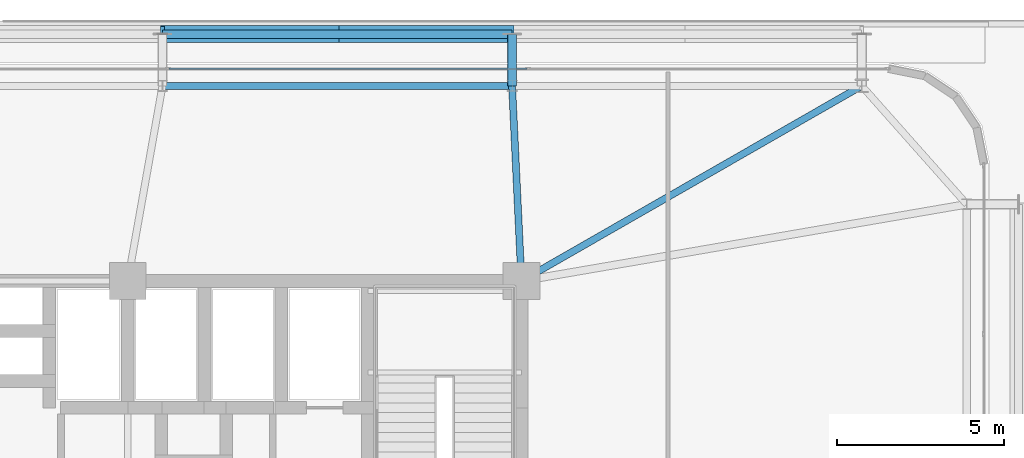
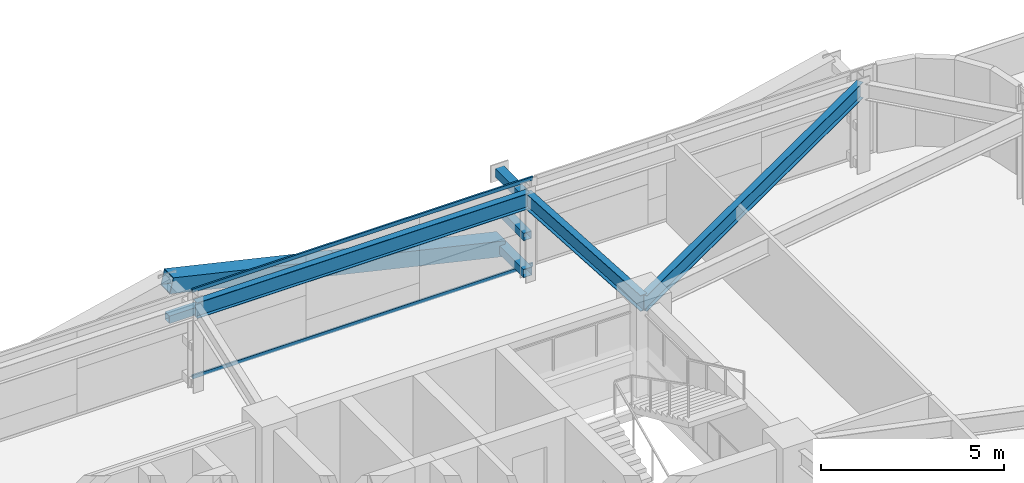
# One storey, part 29 of 56: 8 members, 3 beams, 1 element without a shape of its own.
"""IFC4 building model written with IfcOpenShell, lengths in metres."""

from ifc_helpers import new_model, si_unit, direction, frame, origin, origin_2d, place, context, subcontext, project, spatial, hollow_rectangle, i_section, extrude, source, transform, mapped, material, layer, layer_set, material_profile, profile_set, type_object, element, aggregate, save


model = new_model("IFC4")

# Units and contexts
model_context = context("Model", 3, precision=1e-05, world=origin(), true_north=direction((0.0, 1.0)))
body_context = subcontext(model_context, "Body", "Model", "MODEL_VIEW")
ifc_project = project(units=[si_unit("LENGTHUNIT", "METRE"), si_unit("AREAUNIT", "SQUARE_METRE"), si_unit("VOLUMEUNIT", "CUBIC_METRE"), si_unit("PLANEANGLEUNIT", "RADIAN"), si_unit("MASSUNIT", "GRAM", prefix="KILO")], contexts=[model_context])

# Site, building, storey
site_placement = place(None, origin())
site = spatial("IfcSite", under=ifc_project, at=site_placement, CompositionType="ELEMENT")
building_placement = place(site_placement, origin())
building = spatial("IfcBuilding", under=site, at=building_placement, Name="Taldren Reach Tower", CompositionType="ELEMENT")
storey_placement = place(building_placement, frame((0.0, 0.0, 16.800048828125)))
storey = spatial("IfcBuildingStorey", under=building, at=storey_placement, Name="L04", CompositionType="ELEMENT", Elevation=16.800048828125)

# Beams
ifc_material_1 = material(Name="Steel Gr 350 (350PLUS)", Category="steel")
ifc_material_profile_1 = material_profile(ifc_material_1, i_section(OverallWidth=0.208984375, OverallDepth=0.528076171875, WebThickness=0.009521484375, FlangeThickness=0.01318359375, at=origin_2d()), Name="530UB82.0")
ifc_profile_set_1 = profile_set([ifc_material_profile_1], Name="Steel Gr 350 (350PLUS)")
beam_type_1 = type_object("IfcBeamType", Name="SP-UB530B", PredefinedType="SPANDREL", material=ifc_profile_set_1)
shared_shape_1 = source(origin(), body_context, "Body", "SweptSolid", [
    extrude(i_section(OverallWidth=0.208984375, OverallDepth=0.528076171875, WebThickness=0.009521484375, FlangeThickness=0.01318359375, at=origin_2d()), origin(), (0.0, 0.0, 1.0), 10.47998046875),
])
beam_1_placement = place(storey_placement, frame((50.719970703125, 37.85009765625, 2.666015625), z_axis=(-1.0, 0.0, 0.0), x_axis=(0.0, -1.0, 0.0)))
element("IfcBeam", 1, at=beam_1_placement, inside=storey, type_object=beam_type_1, Name="Perimeter spandrel B1 N5-N4 L04", PredefinedType="SPANDREL", context=body_context, shape_type="MappedRepresentation", body=[
    mapped(shared_shape_1, transform((0.0, 0.0, 0.0), scale=1.0)),
])
ifc_material_profile_2 = material_profile(ifc_material_1, i_section(OverallWidth=0.208984375, OverallDepth=0.532958984375, WebThickness=0.01025390625, FlangeThickness=0.015625, at=origin_2d()), Name="530UB92.4")
ifc_profile_set_2 = profile_set([ifc_material_profile_2], Name="Steel Gr 350 (350PLUS)")
beam_type_2 = type_object("IfcBeamType", Name="BM-UB530A", PredefinedType="BEAM", material=ifc_profile_set_2)
shared_shape_2 = source(origin(), body_context, "Body", "SweptSolid", [
    extrude(i_section(OverallWidth=0.208984375, OverallDepth=0.532958984375, WebThickness=0.01025390625, FlangeThickness=0.015625, at=origin_2d()), origin(), (0.0, 0.0, 1.0), 11.758544921875),
])
beam_2_placement = place(storey_placement, frame((51.0, 32.0, 2.663330078125), z_axis=(0.867452414141, 0.497520159593, 0.0), x_axis=(-0.497520159593, 0.867452414141, 0.0)))
element("IfcBeam", 2, at=beam_2_placement, inside=storey, type_object=beam_type_2, Name="Primary floor girder B1-N6 L04", PredefinedType="BEAM", context=body_context, shape_type="MappedRepresentation", body=[
    mapped(shared_shape_2, transform((0.0, 0.0, 0.0), scale=1.0)),
])
shared_shape_3 = source(origin(), body_context, "Body", "SweptSolid", [
    extrude(i_section(OverallWidth=0.208984375, OverallDepth=0.532958984375, WebThickness=0.01025390625, FlangeThickness=0.015625, at=origin_2d()), origin(), (0.0, 0.0, 1.0), 5.856689453125),
])
beam_3_placement = place(storey_placement, frame((51.0, 32.0, 2.663330078125), z_axis=(-0.047812711672, 0.998856318297, 0.0), x_axis=(-0.998856318297, -0.047812711672, 0.0)))
element("IfcBeam", 3, at=beam_3_placement, inside=storey, type_object=beam_type_2, Name="Primary floor girder B1-N5 L04", PredefinedType="BEAM", context=body_context, shape_type="MappedRepresentation", body=[
    mapped(shared_shape_3, transform((0.0, 0.0, 0.0), scale=1.0)),
])

# Members
ifc_material_2 = material(Name="Steel Gr 450 (C450L0)", Category="steel")
ifc_material_profile_3 = material_profile(ifc_material_2, hollow_rectangle(XDim=0.27490234375, YDim=0.27490234375, WallThickness=0.00927734375, at=origin_2d()), Name="275x275x9.3SHS")
ifc_profile_set_3 = profile_set([ifc_material_profile_3], Name="Steel Gr 450 (C450L0)")
member_type_1 = type_object("IfcMemberType", Name="MB-TIE273", PredefinedType="STRUT", material=ifc_profile_set_3)
shared_shape_4 = source(origin(), body_context, "Body", "SweptSolid", [
    extrude(hollow_rectangle(XDim=0.27490234375, YDim=0.27490234375, WallThickness=0.00927734375, at=origin_2d()), origin(), (0.0, 0.0, 1.0), 1.5498046875),
])
for number, where, z_axis, x_axis, name in (
    (4, (50.719970703125, 37.85009765625, 2.64990234375), (0.0, 1.0, 0.0), (-1.0, 0.0, 0.0), "Exoskeleton diaphragm tie strut B1-N5 L04"),
    (5, (50.719970703125, 37.85009765625, 0.219970703125), (0.0, 1.0, 0.0), (-1.0, 0.0, 0.0), "Exoskeleton base diaphragm tie strut B1-N5 L04"),
):
    element("IfcMember", number, at=place(storey_placement, frame(where, z_axis=z_axis, x_axis=x_axis)), inside=storey, type_object=member_type_1, Name=name, PredefinedType="STRUT", context=body_context, shape_type="MappedRepresentation", body=[
        mapped(shared_shape_4, transform((0.0, 0.0, 0.0), scale=1.0)),
    ])
ifc_material_profile_4 = material_profile(ifc_material_2, hollow_rectangle(XDim=0.510009765625, YDim=0.510009765625, WallThickness=0.02001953125, at=origin_2d()), Name="510x510x20.0SHS")
ifc_profile_set_4 = profile_set([ifc_material_profile_4], Name="Steel Gr 450 (C450L0)")
member_type_2 = type_object("IfcMemberType", Name="MB-EXO508", PredefinedType="BRACE", material=ifc_profile_set_4)
shared_shape_5 = source(origin(), body_context, "Body", "SweptSolid", [
    extrude(hollow_rectangle(XDim=0.510009765625, YDim=0.510009765625, WallThickness=0.02001953125, at=origin_2d()), origin(), (0.0, 0.0, 1.0), 5.37890625),
])
for number, where, z_axis, x_axis, name in (
    (6, (50.719970703125, 39.39990234375, 0.219970703125), (-0.97415197996, 0.0, 0.225893603143), (0.0, -1.0, 0.0), "Exoskeleton Diagrid Brace B1-N4 L04"),
    (7, (45.47998046875, 39.39990234375, 1.43505859375), (-0.974161966843, 0.0, 0.225850531007), (0.0, -1.0, 0.0), "Exoskeleton Diagrid Brace B1-N4 L04"),
):
    element("IfcMember", number, at=place(storey_placement, frame(where, z_axis=z_axis, x_axis=x_axis)), inside=storey, type_object=member_type_2, Name=name, PredefinedType="BRACE", context=body_context, shape_type="MappedRepresentation", body=[
        mapped(shared_shape_5, transform((0.0, 0.0, 0.0), scale=1.0)),
    ])
ifc_material_3 = material(Name="Steel Gr 350 (C350L0)", Category="steel")
ifc_material_profile_5 = material_profile(ifc_material_3, hollow_rectangle(XDim=0.25, YDim=0.25, WallThickness=0.010009765625, at=origin_2d()), Name="250x250x10.0SHS")
ifc_profile_set_5 = profile_set([ifc_material_profile_5], Name="Steel Gr 350 (C350L0)")
member_type_3 = type_object("IfcMemberType", Name="MB-POST250", PredefinedType="POST", material=ifc_profile_set_5)
shared_shape_6 = source(origin(), body_context, "Body", "SweptSolid", [
    extrude(hollow_rectangle(XDim=0.25, YDim=0.25, WallThickness=0.010009765625, at=origin_2d()), origin(), (0.0, 0.0, 1.0), 10.47998046875),
])
member_1_placement = place(storey_placement, frame((40.239990234375, 39.39990234375, 1.43505859375), z_axis=(1.0, 0.0, 0.0), x_axis=(0.0, 1.0, 0.0)))
element("IfcMember", 8, at=member_1_placement, inside=storey, type_object=member_type_3, Name="Exoskeleton mid-height ring chord B1-N4 L04", PredefinedType="POST", context=body_context, shape_type="MappedRepresentation", body=[
    mapped(shared_shape_6, transform((0.0, 0.0, 0.0), scale=1.0)),
])
shared_shape_7 = source(origin(), body_context, "Body", "SweptSolid", [
    extrude(hollow_rectangle(XDim=0.25, YDim=0.25, WallThickness=0.010009765625, at=origin_2d()), origin(), (0.0, 0.0, 1.0), 1.5498046875),
])
member_2_placement = place(storey_placement, frame((50.719970703125, 37.85009765625, 1.43505859375), z_axis=(0.0, 1.0, 0.0), x_axis=(-1.0, 0.0, 0.0)))
element("IfcMember", 9, at=member_2_placement, inside=storey, type_object=member_type_3, Name="Exoskeleton mid-tier diaphragm tie B1-N5 L04", PredefinedType="POST", context=body_context, shape_type="MappedRepresentation", body=[
    mapped(shared_shape_7, transform((0.0, 0.0, 0.0), scale=1.0)),
])

# Curtain wall, members
ifc_material_4 = material(Name="Aluminium and Low-E Glass Unitised System", Category="aluminium")
ifc_layer = layer(ifc_material_4, 0.159912109375)
ifc_layer_set = layer_set([ifc_layer], Name="Aluminium and Low-E Glass Unitised System")
curtain_wall_type = type_object("IfcCurtainWallType", Name="CW-SYS-2", PredefinedType="NOTDEFINED", material=ifc_layer_set)
curtain_wall_placement = place(storey_placement, origin())
curtain_wall = element("IfcCurtainWall", 10, at=curtain_wall_placement, inside=storey, type_object=curtain_wall_type, Name="Unitised curtain wall CW-L04-N", PredefinedType="NOTDEFINED")
ifc_material_5 = material(Name="Anodised Aluminium 6063-T6", Category="aluminium")
ifc_material_profile_6 = material_profile(ifc_material_5, hollow_rectangle(XDim=0.054931640625, YDim=0.1201171875, WallThickness=0.0029296875, at=origin_2d()), Name="ALU-120x55x3RHS")
ifc_profile_set_6 = profile_set([ifc_material_profile_6], Name="Anodised Aluminium 6063-T6")
member_type_4 = type_object("IfcMemberType", Name="CW-TRN-135", PredefinedType="USERDEFINED", material=ifc_profile_set_6)
shared_shape_8 = source(origin(), body_context, "Body", "SweptSolid", [
    extrude(hollow_rectangle(XDim=0.054931640625, YDim=0.1201171875, WallThickness=0.0029296875, at=origin_2d()), origin(), (0.0, 0.0, 1.0), 10.73486328125),
])
member_3_placement = place(storey_placement, frame((51.16748046875, 38.360107421875, 0.02734375), z_axis=(-1.0, 0.0, 0.0), x_axis=(0.0, -1.0, 0.0)))
member_3 = element("IfcMember", 11, at=member_3_placement, type_object=member_type_4, Name="CW-2 transom 2.1", ObjectType="TRANSOM", PredefinedType="USERDEFINED", context=body_context, shape_type="MappedRepresentation", body=[
    mapped(shared_shape_8, transform((0.0, 0.0, 0.0), scale=1.0)),
])
member_4_placement = place(storey_placement, frame((51.16748046875, 38.360107421875, 2.90234375), z_axis=(-1.0, 0.0, 0.0), x_axis=(0.0, -1.0, 0.0)))
member_4 = element("IfcMember", 12, at=member_4_placement, type_object=member_type_4, Name="CW-2 transom 2.2", ObjectType="TRANSOM", PredefinedType="USERDEFINED", context=body_context, shape_type="MappedRepresentation", body=[
    mapped(shared_shape_8, transform((0.0, 0.0, 0.0), scale=1.0)),
])
aggregate(curtain_wall, [member_3, member_4])

save(model, "model.ifc")
